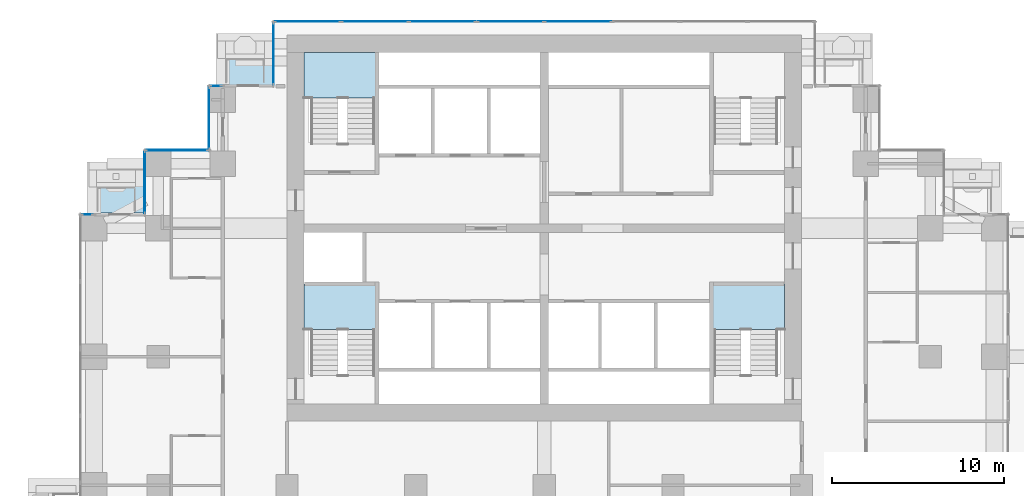
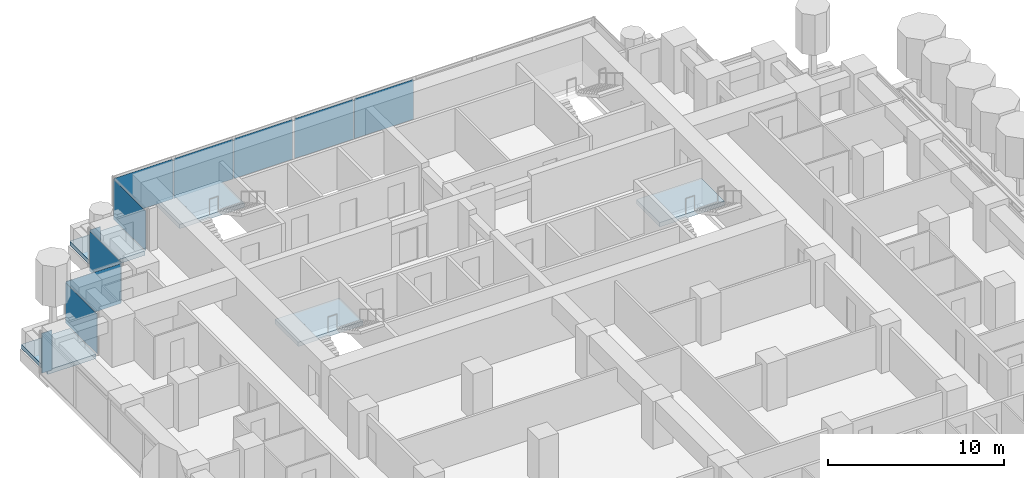
# One storey, part 9 of 20: 11 plates, 5 slabs, 11 elements without a shape of their own.
"""IFC4 building model written with IfcOpenShell, lengths in metres."""

from ifc_helpers import new_model, si_unit, direction, frame, origin, origin_2d, place, context, subcontext, project, spatial, polyline, rectangle, outline, extrude, material, layer, layer_set, type_object, element, aggregate, save


model = new_model("IFC4")

# Units and contexts
model_context = context("Model", 3, precision=1e-05, world=origin(), true_north=direction((0.0, 1.0)))
body_context = subcontext(model_context, "Body", "Model", "MODEL_VIEW")
ifc_project = project(units=[si_unit("LENGTHUNIT", "METRE"), si_unit("AREAUNIT", "SQUARE_METRE"), si_unit("VOLUMEUNIT", "CUBIC_METRE"), si_unit("PLANEANGLEUNIT", "RADIAN"), si_unit("MASSUNIT", "GRAM", prefix="KILO")], contexts=[model_context])

# Site, building, storey
site_placement = place(None, origin())
site = spatial("IfcSite", under=ifc_project, at=site_placement, CompositionType="ELEMENT")
building_placement = place(site_placement, origin())
building = spatial("IfcBuilding", under=site, at=building_placement, Name="Pilkhan Gate Tower", CompositionType="ELEMENT")
storey_placement = place(building_placement, frame((0.0, 0.0, 98.89990234375)))
storey = spatial("IfcBuildingStorey", under=building, at=storey_placement, Name="L24", CompositionType="ELEMENT", Elevation=98.89990234375)

# Slabs
ifc_material_1 = material(Name="Concrete C60/75", Category="concrete")
ifc_layer_1 = layer(ifc_material_1, 0.300048828125)
ifc_layer_set_1 = layer_set([ifc_layer_1], Name="Balcony tray slab TR300")
slab_type_1 = type_object("IfcSlabType", Name="Balcony tray slab TR300", PredefinedType="FLOOR", material=ifc_layer_set_1)
slab_1_placement = place(storey_placement, frame((0.0, 0.0, -0.2998046875)))
element("IfcSlab", 1, at=slab_1_placement, inside=storey, type_object=slab_type_1, Name="Balcony tray L24 N", PredefinedType="FLOOR", context=body_context, shape_type="SweptSolid", body=[
    extrude(outline(polyline([(59.14990234375, 90.85009765625), (59.14990234375, 93.85009765625), (55.949951171875, 93.85009765625), (55.949951171875, 90.85009765625), (59.14990234375, 90.85009765625)])), origin(), (0.0, 0.0, 1.0), 0.2998046875),
])
slab_2_placement = place(storey_placement, frame((0.0, 0.0, -0.2998046875)))
element("IfcSlab", 2, at=slab_2_placement, inside=storey, type_object=slab_type_1, Name="Balcony tray L24 N", PredefinedType="FLOOR", context=body_context, shape_type="SweptSolid", body=[
    extrude(outline(polyline([(51.6298828125, 83.3701171875), (51.6298828125, 86.35009765625), (48.449951171875, 86.35009765625), (48.449951171875, 83.3701171875), (51.6298828125, 83.3701171875)])), origin(), (0.0, 0.0, 1.0), 0.2998046875),
])

# Curtain wall, plates
ifc_material_2 = material(Name="Pale anodised aluminium, clear low-iron double glazing", Category="aluminium")
curtain_wall_type = type_object("IfcCurtainWallType", Name="Hotel unitised curtain wall CW-H", PredefinedType="USERDEFINED", material=ifc_material_2)
curtain_wall_1_placement = place(storey_placement, origin())
curtain_wall_1 = element("IfcCurtainWall", 3, at=curtain_wall_1_placement, inside=storey, type_object=curtain_wall_type, Name="Hotel unitised curtain wall CW-H L24 N", ObjectType="UNITISED CURTAIN WALL", PredefinedType="USERDEFINED")
ifc_material_3 = material(Name="Clear low-iron double glazing", Category="glass")
ifc_layer_2 = layer(ifc_material_3, 0.035888671875)
ifc_layer_set_2 = layer_set([ifc_layer_2], Name="Glass panel CW-H 36")
plate_type = type_object("IfcPlateType", Name="Glass panel CW-H 36", PredefinedType="CURTAIN_PANEL", material=ifc_layer_set_2)
plate_1_placement = place(storey_placement, frame((61.195556640625, 94.544921875, 0.0), z_axis=(0.0, 0.0, 1.0), x_axis=(1.0, 0.0, 0.0)))
plate_1 = element("IfcPlate", 4, at=plate_1_placement, type_object=plate_type, Name="CW-H panel 1", PredefinedType="CURTAIN_PANEL", context=body_context, shape_type="SweptSolid", body=[
    extrude(rectangle(XDim=3.851318359375, YDim=0.035888671875, at=origin_2d()), origin(), (0.0, 0.0, 1.0), 2.77001953125),
])
plate_2_placement = place(storey_placement, frame((65.128173828125, 94.544921875, 0.0), z_axis=(0.0, 0.0, 1.0), x_axis=(1.0, 0.0, 0.0)))
plate_2 = element("IfcPlate", 5, at=plate_2_placement, type_object=plate_type, Name="CW-H panel 2", PredefinedType="CURTAIN_PANEL", context=body_context, shape_type="SweptSolid", body=[
    extrude(rectangle(XDim=3.8837890625, YDim=0.035888671875, at=origin_2d()), origin(), (0.0, 0.0, 1.0), 2.77001953125),
])
plate_3_placement = place(storey_placement, frame((69.060546875, 94.544921875, 0.0), z_axis=(0.0, 0.0, 1.0), x_axis=(1.0, 0.0, 0.0)))
plate_3 = element("IfcPlate", 6, at=plate_3_placement, type_object=plate_type, Name="CW-H panel 3", PredefinedType="CURTAIN_PANEL", context=body_context, shape_type="SweptSolid", body=[
    extrude(rectangle(XDim=3.851318359375, YDim=0.035888671875, at=origin_2d()), origin(), (0.0, 0.0, 1.0), 2.77001953125),
])
aggregate(curtain_wall_1, [plate_1, plate_2, plate_3])

curtain_wall_2_placement = place(storey_placement, origin())
curtain_wall_2 = element("IfcCurtainWall", 7, at=curtain_wall_2_placement, inside=storey, type_object=curtain_wall_type, Name="Hotel unitised curtain wall CW-H L24 N", ObjectType="UNITISED CURTAIN WALL", PredefinedType="USERDEFINED")
plate_4_placement = place(storey_placement, frame((73.0419921875, 94.544921875, 0.0), z_axis=(0.0, 0.0, 1.0), x_axis=(1.0, 0.0, 0.0)))
plate_4 = element("IfcPlate", 8, at=plate_4_placement, type_object=plate_type, Name="CW-H panel 1", PredefinedType="CURTAIN_PANEL", context=body_context, shape_type="SweptSolid", body=[
    extrude(rectangle(XDim=3.851318359375, YDim=0.035888671875, at=origin_2d()), origin(), (0.0, 0.0, 1.0), 2.77001953125),
])
plate_5_placement = place(storey_placement, frame((76.974365234375, 94.544921875, 0.0), z_axis=(0.0, 0.0, 1.0), x_axis=(1.0, 0.0, 0.0)))
plate_5 = element("IfcPlate", 9, at=plate_5_placement, type_object=plate_type, Name="CW-H panel 2", PredefinedType="CURTAIN_PANEL", context=body_context, shape_type="SweptSolid", body=[
    extrude(rectangle(XDim=3.8837890625, YDim=0.035888671875, at=origin_2d()), origin(), (0.0, 0.0, 1.0), 2.77001953125),
])
aggregate(curtain_wall_2, [plate_4, plate_5])

# Curtain wall, plate
curtain_wall_3_placement = place(storey_placement, origin())
curtain_wall_3 = element("IfcCurtainWall", 10, at=curtain_wall_3_placement, inside=storey, type_object=curtain_wall_type, Name="Hotel unitised curtain wall CW-H L24 W", ObjectType="UNITISED CURTAIN WALL", PredefinedType="USERDEFINED")
plate_6_placement = place(storey_placement, frame((59.205078125, 92.669921875, 0.0), z_axis=(0.0, 0.0, 1.0), x_axis=(0.0, 1.0, 0.0)))
plate_6 = element("IfcPlate", 11, at=plate_6_placement, type_object=plate_type, Name="CW-H panel 1", PredefinedType="CURTAIN_PANEL", context=body_context, shape_type="SweptSolid", body=[
    extrude(rectangle(XDim=3.6201171875, YDim=0.035888671875, at=origin_2d()), origin(), (0.0, 0.0, 1.0), 2.77001953125),
])
aggregate(curtain_wall_3, [plate_6])

curtain_wall_4_placement = place(storey_placement, origin())
curtain_wall_4 = element("IfcCurtainWall", 12, at=curtain_wall_4_placement, inside=storey, type_object=curtain_wall_type, Name="Hotel unitised curtain wall CW-H L24 N", ObjectType="UNITISED CURTAIN WALL", PredefinedType="USERDEFINED")
plate_7_placement = place(storey_placement, frame((55.8525390625, 90.794921875, 0.0), z_axis=(0.0, 0.0, 1.0), x_axis=(1.0, 0.0, 0.0)))
plate_7 = element("IfcPlate", 13, at=plate_7_placement, type_object=plate_type, Name="CW-H panel 1", PredefinedType="CURTAIN_PANEL", context=body_context, shape_type="SweptSolid", body=[
    extrude(rectangle(XDim=0.6650390625, YDim=0.035888671875, at=origin_2d()), origin(), (0.0, 0.0, 1.0), 2.77001953125),
])
aggregate(curtain_wall_4, [plate_7])

curtain_wall_5_placement = place(storey_placement, origin())
curtain_wall_5 = element("IfcCurtainWall", 14, at=curtain_wall_5_placement, inside=storey, type_object=curtain_wall_type, Name="Hotel unitised curtain wall CW-H L24 W", ObjectType="UNITISED CURTAIN WALL", PredefinedType="USERDEFINED")
plate_8_placement = place(storey_placement, frame((55.455078125, 88.919921875, 0.0), z_axis=(0.0, 0.0, 1.0), x_axis=(0.0, 1.0, 0.0)))
plate_8 = element("IfcPlate", 15, at=plate_8_placement, type_object=plate_type, Name="CW-H panel 1", PredefinedType="CURTAIN_PANEL", context=body_context, shape_type="SweptSolid", body=[
    extrude(rectangle(XDim=3.6201171875, YDim=0.035888671875, at=origin_2d()), origin(), (0.0, 0.0, 1.0), 2.77001953125),
])
aggregate(curtain_wall_5, [plate_8])

curtain_wall_6_placement = place(storey_placement, origin())
curtain_wall_6 = element("IfcCurtainWall", 16, at=curtain_wall_6_placement, inside=storey, type_object=curtain_wall_type, Name="Hotel unitised curtain wall CW-H L24 N", ObjectType="UNITISED CURTAIN WALL", PredefinedType="USERDEFINED")
plate_9_placement = place(storey_placement, frame((53.580078125, 87.044921875, 0.0), z_axis=(0.0, 0.0, 1.0), x_axis=(1.0, 0.0, 0.0)))
plate_9 = element("IfcPlate", 17, at=plate_9_placement, type_object=plate_type, Name="CW-H panel 1", PredefinedType="CURTAIN_PANEL", context=body_context, shape_type="SweptSolid", body=[
    extrude(rectangle(XDim=3.6201171875, YDim=0.035888671875, at=origin_2d()), origin(), (0.0, 0.0, 1.0), 2.77001953125),
])
aggregate(curtain_wall_6, [plate_9])

curtain_wall_7_placement = place(storey_placement, origin())
curtain_wall_7 = element("IfcCurtainWall", 18, at=curtain_wall_7_placement, inside=storey, type_object=curtain_wall_type, Name="Hotel unitised curtain wall CW-H L24 W", ObjectType="UNITISED CURTAIN WALL", PredefinedType="USERDEFINED")
plate_10_placement = place(storey_placement, frame((51.705078125, 85.169921875, 0.0), z_axis=(0.0, 0.0, 1.0), x_axis=(0.0, 1.0, 0.0)))
plate_10 = element("IfcPlate", 19, at=plate_10_placement, type_object=plate_type, Name="CW-H panel 1", PredefinedType="CURTAIN_PANEL", context=body_context, shape_type="SweptSolid", body=[
    extrude(rectangle(XDim=3.6201171875, YDim=0.035888671875, at=origin_2d()), origin(), (0.0, 0.0, 1.0), 2.77001953125),
])
aggregate(curtain_wall_7, [plate_10])

curtain_wall_8_placement = place(storey_placement, origin())
curtain_wall_8 = element("IfcCurtainWall", 20, at=curtain_wall_8_placement, inside=storey, type_object=curtain_wall_type, Name="Hotel unitised curtain wall CW-H L24 N", ObjectType="UNITISED CURTAIN WALL", PredefinedType="USERDEFINED")
plate_11_placement = place(storey_placement, frame((48.3525390625, 83.294921875, 0.0), z_axis=(0.0, 0.0, 1.0), x_axis=(1.0, 0.0, 0.0)))
plate_11 = element("IfcPlate", 21, at=plate_11_placement, type_object=plate_type, Name="CW-H panel 1", PredefinedType="CURTAIN_PANEL", context=body_context, shape_type="SweptSolid", body=[
    extrude(rectangle(XDim=0.6650390625, YDim=0.035888671875, at=origin_2d()), origin(), (0.0, 0.0, 1.0), 2.77001953125),
])
aggregate(curtain_wall_8, [plate_11])

# Stair, slab
ifc_material_4 = material(Name="Concrete C40/50 precast", Category="concrete")
stair_type_1 = type_object("IfcStairType", Name="Stair ST1 165x300", PredefinedType="HALF_TURN_STAIR", material=ifc_material_4)
stair_1_placement = place(storey_placement, origin())
stair_1 = element("IfcStair", 22, at=stair_1_placement, inside=storey, type_object=stair_type_1, Name="Stair ST1 L24", PredefinedType="HALF_TURN_STAIR")
ifc_material_5 = material(Name="Concrete C40/50", Category="concrete")
ifc_layer_3 = layer(ifc_material_5, 0.199951171875)
ifc_layer_set_3 = layer_set([ifc_layer_3], Name="Stair landing SL200")
slab_type_2 = type_object("IfcSlabType", Name="Stair landing SL200", PredefinedType="LANDING", material=ifc_layer_set_3)
slab_3_placement = place(storey_placement, frame((0.0, 0.0, 1.35009765625)))
slab_3 = element("IfcSlab", 23, at=slab_3_placement, type_object=slab_type_2, Name="ST1 landing 1", PredefinedType="LANDING", context=body_context, shape_type="SweptSolid", body=[
    extrude(outline(polyline([(89.0, 76.60009765625), (89.0, 79.25), (84.75, 79.25), (84.75, 76.60009765625), (89.0, 76.60009765625)])), origin(), (0.0, 0.0, 1.0), 0.300048828125),
])
aggregate(stair_1, [slab_3])

stair_type_2 = type_object("IfcStairType", Name="Stair ST2 165x300", PredefinedType="HALF_TURN_STAIR", material=ifc_material_4)
stair_2_placement = place(storey_placement, origin())
stair_2 = element("IfcStair", 24, at=stair_2_placement, inside=storey, type_object=stair_type_2, Name="Stair ST2 L24", PredefinedType="HALF_TURN_STAIR")
slab_4_placement = place(storey_placement, frame((0.0, 0.0, 1.35009765625)))
slab_4 = element("IfcSlab", 25, at=slab_4_placement, type_object=slab_type_2, Name="ST2 landing 1", PredefinedType="LANDING", context=body_context, shape_type="SweptSolid", body=[
    extrude(outline(polyline([(65.25, 76.60009765625), (65.25, 79.25), (61.0, 79.25), (61.0, 76.60009765625), (65.25, 76.60009765625)])), origin(), (0.0, 0.0, 1.0), 0.300048828125),
])
aggregate(stair_2, [slab_4])

stair_type_3 = type_object("IfcStairType", Name="Stair ST3 165x300", PredefinedType="HALF_TURN_STAIR", material=ifc_material_4)
stair_3_placement = place(storey_placement, origin())
stair_3 = element("IfcStair", 26, at=stair_3_placement, inside=storey, type_object=stair_type_3, Name="Stair ST3 L24", PredefinedType="HALF_TURN_STAIR")
slab_5_placement = place(storey_placement, frame((0.0, 0.0, 1.35009765625)))
slab_5 = element("IfcSlab", 27, at=slab_5_placement, type_object=slab_type_2, Name="ST3 landing 1", PredefinedType="LANDING", context=body_context, shape_type="SweptSolid", body=[
    extrude(outline(polyline([(65.25, 90.10009765625), (65.25, 92.75), (61.0, 92.75), (61.0, 90.10009765625), (65.25, 90.10009765625)])), origin(), (0.0, 0.0, 1.0), 0.300048828125),
])
aggregate(stair_3, [slab_5])

save(model, "model.ifc")
